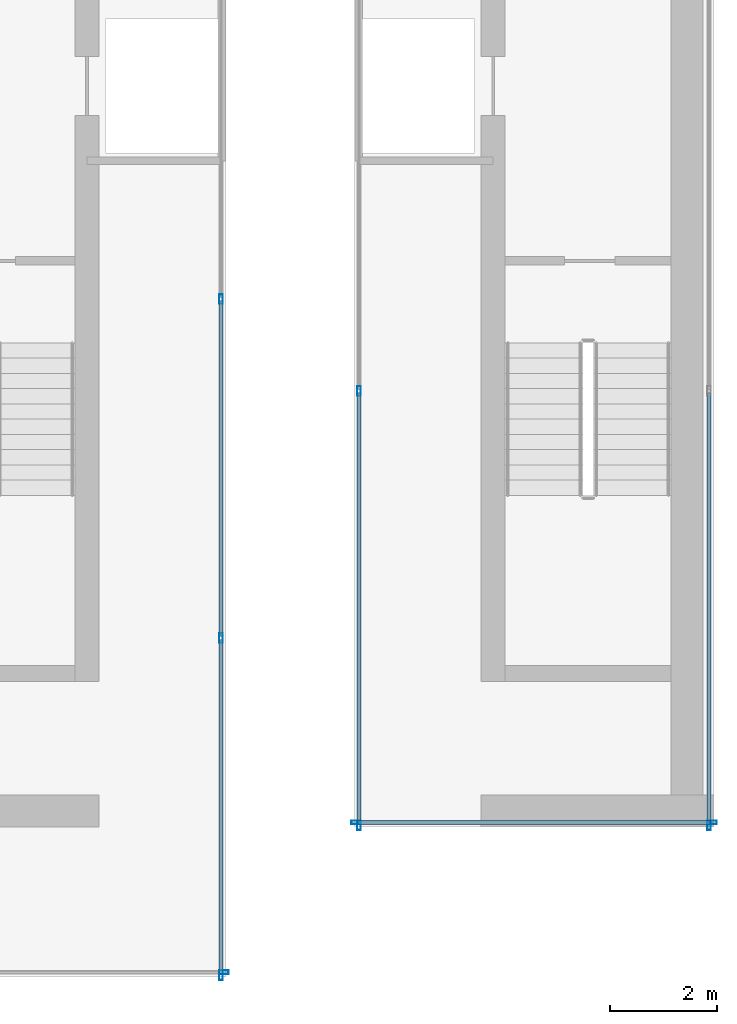
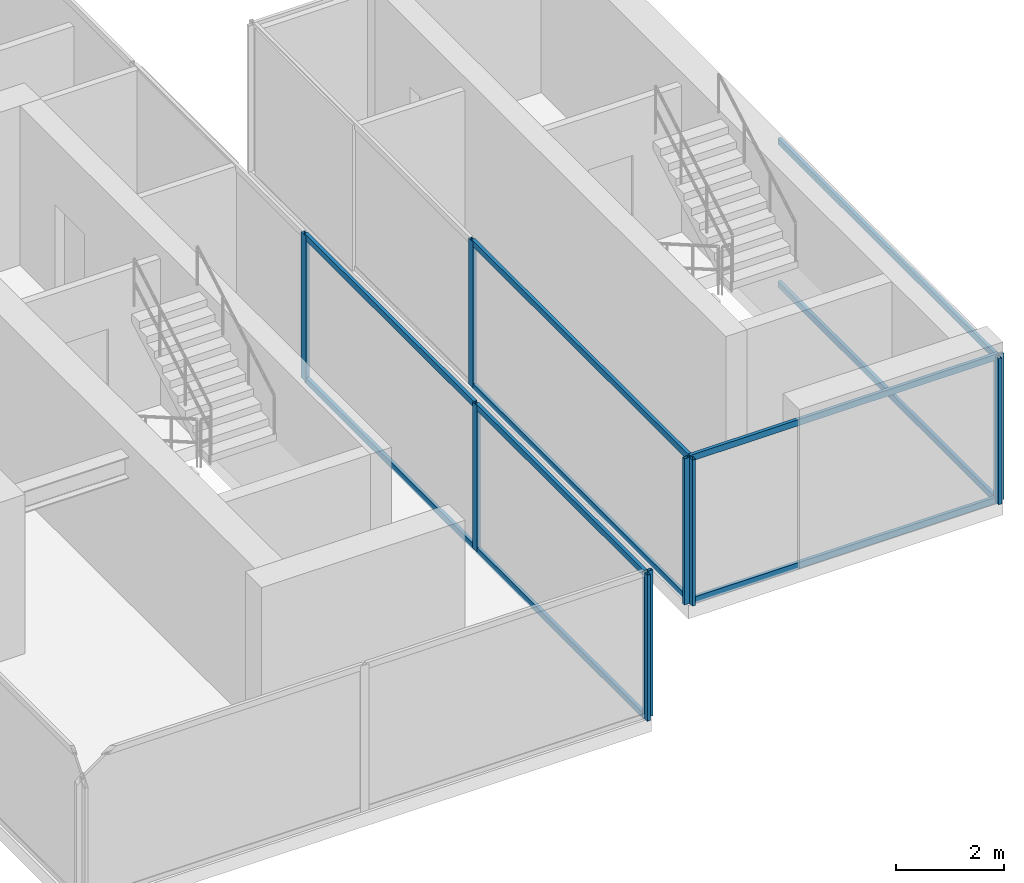
# One storey, part 5 of 16: 19 members, 5 elements without a shape of their own.
"""IFC4 building model written with IfcOpenShell, lengths in metres."""

from ifc_helpers import new_model, si_unit, direction, frame, origin, origin_2d, place, context, subcontext, project, spatial, hollow_rectangle, extrude, source, transform, mapped, material, material_profile, profile_set, type_object, type_shapes, element, aggregate, save


model = new_model("IFC4")

# Units and contexts
model_context = context("Model", 3, precision=1e-05, world=origin(), true_north=direction((0.0, 1.0)))
body_context = subcontext(model_context, "Body", "Model", "MODEL_VIEW")
ifc_project = project(units=[si_unit("LENGTHUNIT", "METRE"), si_unit("AREAUNIT", "SQUARE_METRE"), si_unit("VOLUMEUNIT", "CUBIC_METRE"), si_unit("PLANEANGLEUNIT", "RADIAN"), si_unit("MASSUNIT", "GRAM", prefix="KILO")], contexts=[model_context])

# Site, building, storey
site_placement = place(None, origin())
site = spatial("IfcSite", under=ifc_project, at=site_placement, CompositionType="ELEMENT")
building_placement = place(site_placement, origin())
building = spatial("IfcBuilding", under=site, at=building_placement, Name="Krantzveldt Concourse Tower", CompositionType="ELEMENT")
storey_placement = place(building_placement, frame((0.0, 0.0, 381.85009765625)))
storey = spatial("IfcBuildingStorey", under=building, at=storey_placement, Name="L94", CompositionType="ELEMENT", Elevation=381.85009765625)

# Curtain wall, members
ifc_material = material(Name="Anodised aluminium 6063-T6", Category="aluminium")
curtain_wall_type = type_object("IfcCurtainWallType", Name="CW7", PredefinedType="USERDEFINED", material=ifc_material)
curtain_wall_1_placement = place(storey_placement, origin())
curtain_wall_1 = element("IfcCurtainWall", 1, at=curtain_wall_1_placement, inside=storey, type_object=curtain_wall_type, Name="CW-L94-WEST-01", ObjectType="UNITISED CURTAIN WALL", PredefinedType="USERDEFINED")
ifc_material_profile_1 = material_profile(ifc_material, hollow_rectangle(XDim=0.070068359375, YDim=0.139892578125, WallThickness=0.0048828125, at=origin_2d()), Name="Anodised aluminium 6063-T6", Category="aluminium")
ifc_profile_set_1 = profile_set([ifc_material_profile_1], Name="Anodised aluminium 6063-T6 - ALU-TRAN 140x70x5")
member_type_1 = type_object("IfcMemberType", Name="CW-TRN-150", PredefinedType="USERDEFINED", material=ifc_profile_set_1)
shared_shape_1 = source(origin(), body_context, "Body", "SweptSolid", [
    extrude(hollow_rectangle(XDim=0.070068359375, YDim=0.139892578125, WallThickness=0.0048828125, at=origin_2d()), origin(), (0.0, 0.0, 1.0), 6.228271484375),
])
member_1_placement = place(storey_placement, frame((34.7099609375, 7.77001953125, 0.034912109375), z_axis=(0.0, 1.0, 0.0), x_axis=(-1.0, 0.0, 0.0)))
member_1 = element("IfcMember", 2, at=member_1_placement, type_object=member_type_1, Name="CW-CRN transom 1.1", ObjectType="TRANSOM", PredefinedType="USERDEFINED", context=body_context, shape_type="MappedRepresentation", body=[
    mapped(shared_shape_1, transform((0.0, 0.0, 0.0), x_axis=(1.0, 0.0, 0.0), y_axis=(0.0, 1.0, 0.0), z_axis=(0.0, 0.0, 1.0), scale=1.0)),
])
member_2_placement = place(storey_placement, frame((34.7099609375, 7.77001953125, 3.264892578125), z_axis=(0.0, 1.0, 0.0), x_axis=(-1.0, 0.0, 0.0)))
member_2 = element("IfcMember", 3, at=member_2_placement, type_object=member_type_1, Name="CW-CRN transom 1.2", ObjectType="TRANSOM", PredefinedType="USERDEFINED", context=body_context, shape_type="MappedRepresentation", body=[
    mapped(shared_shape_1, transform((0.0, 0.0, 0.0), x_axis=(1.0, 0.0, 0.0), y_axis=(0.0, 1.0, 0.0), z_axis=(0.0, 0.0, 1.0), scale=1.0)),
])
shared_shape_2 = source(origin(), body_context, "Body", "SweptSolid", [
    extrude(hollow_rectangle(XDim=0.070068359375, YDim=0.139892578125, WallThickness=0.0048828125, at=origin_2d()), origin(), (0.0, 0.0, 1.0), 6.263427734375),
])
member_3_placement = place(storey_placement, frame((34.7099609375, 14.068359375, 0.034912109375), z_axis=(0.0, 1.0, 0.0), x_axis=(-1.0, 0.0, 0.0)))
member_3 = element("IfcMember", 4, at=member_3_placement, type_object=member_type_1, Name="CW-CRN transom 2.1", ObjectType="TRANSOM", PredefinedType="USERDEFINED", context=body_context, shape_type="MappedRepresentation", body=[
    mapped(shared_shape_2, transform((0.0, 0.0, 0.0), x_axis=(1.0, 0.0, 0.0), y_axis=(0.0, 1.0, 0.0), z_axis=(0.0, 0.0, 1.0), scale=1.0)),
])
member_4_placement = place(storey_placement, frame((34.7099609375, 14.068359375, 3.264892578125), z_axis=(0.0, 1.0, 0.0), x_axis=(-1.0, 0.0, 0.0)))
member_4 = element("IfcMember", 5, at=member_4_placement, type_object=member_type_1, Name="CW-CRN transom 2.2", ObjectType="TRANSOM", PredefinedType="USERDEFINED", context=body_context, shape_type="MappedRepresentation", body=[
    mapped(shared_shape_2, transform((0.0, 0.0, 0.0), x_axis=(1.0, 0.0, 0.0), y_axis=(0.0, 1.0, 0.0), z_axis=(0.0, 0.0, 1.0), scale=1.0)),
])

curtain_wall_2_placement = place(storey_placement, origin())
curtain_wall_2 = element("IfcCurtainWall", 6, at=curtain_wall_2_placement, inside=storey, type_object=curtain_wall_type, Name="CW-L94-EAST-00", ObjectType="UNITISED CURTAIN WALL", PredefinedType="USERDEFINED")
shared_shape_3 = source(origin(), body_context, "Body", "SweptSolid", [
    extrude(hollow_rectangle(XDim=0.070068359375, YDim=0.139892578125, WallThickness=0.0048828125, at=origin_2d()), origin(), (0.0, 0.0, 1.0), 6.580078125),
])
member_5_placement = place(storey_placement, frame((37.27001953125, 10.590087890625, 0.034912109375), z_axis=(1.0, 0.0, 0.0), x_axis=(0.0, 1.0, 0.0)))
member_5 = element("IfcMember", 7, at=member_5_placement, type_object=member_type_1, Name="CW-CRN transom 1.1", ObjectType="TRANSOM", PredefinedType="USERDEFINED", context=body_context, shape_type="MappedRepresentation", body=[
    mapped(shared_shape_3, transform((0.0, 0.0, 0.0), x_axis=(1.0, 0.0, 0.0), y_axis=(0.0, 1.0, 0.0), z_axis=(0.0, 0.0, 1.0), scale=1.0)),
])
member_6_placement = place(storey_placement, frame((37.27001953125, 10.590087890625, 3.264892578125), z_axis=(1.0, 0.0, 0.0), x_axis=(0.0, 1.0, 0.0)))
member_6 = element("IfcMember", 8, at=member_6_placement, type_object=member_type_1, Name="CW-CRN transom 1.2", ObjectType="TRANSOM", PredefinedType="USERDEFINED", context=body_context, shape_type="MappedRepresentation", body=[
    mapped(shared_shape_3, transform((0.0, 0.0, 0.0), x_axis=(1.0, 0.0, 0.0), y_axis=(0.0, 1.0, 0.0), z_axis=(0.0, 0.0, 1.0), scale=1.0)),
])

curtain_wall_3_placement = place(storey_placement, origin())
curtain_wall_3 = element("IfcCurtainWall", 9, at=curtain_wall_3_placement, inside=storey, type_object=curtain_wall_type, Name="CW-L94-EAST-01", ObjectType="UNITISED CURTAIN WALL", PredefinedType="USERDEFINED")
shared_shape_4 = source(origin(), body_context, "Body", "SweptSolid", [
    extrude(hollow_rectangle(XDim=0.070068359375, YDim=0.139892578125, WallThickness=0.0048828125, at=origin_2d()), origin(), (0.0, 0.0, 1.0), 8.044921875),
])
type_shapes(member_type_1, [shared_shape_1, shared_shape_2, shared_shape_3, shared_shape_4])
member_7_placement = place(storey_placement, frame((43.830078125, 10.570068359375, 0.034912109375), z_axis=(0.0, 1.0, 0.0), x_axis=(-1.0, 0.0, 0.0)))
member_7 = element("IfcMember", 10, at=member_7_placement, type_object=member_type_1, Name="CW-CRN transom 1.1", ObjectType="TRANSOM", PredefinedType="USERDEFINED", context=body_context, shape_type="MappedRepresentation", body=[
    mapped(shared_shape_4, transform((0.0, 0.0, 0.0), x_axis=(1.0, 0.0, 0.0), y_axis=(0.0, 1.0, 0.0), z_axis=(0.0, 0.0, 1.0), scale=1.0)),
])
member_8_placement = place(storey_placement, frame((43.830078125, 10.570068359375, 3.264892578125), z_axis=(0.0, 1.0, 0.0), x_axis=(-1.0, 0.0, 0.0)))
member_8 = element("IfcMember", 11, at=member_8_placement, type_object=member_type_1, Name="CW-CRN transom 1.2", ObjectType="TRANSOM", PredefinedType="USERDEFINED", context=body_context, shape_type="MappedRepresentation", body=[
    mapped(shared_shape_4, transform((0.0, 0.0, 0.0), x_axis=(1.0, 0.0, 0.0), y_axis=(0.0, 1.0, 0.0), z_axis=(0.0, 0.0, 1.0), scale=1.0)),
])

curtain_wall_4_placement = place(storey_placement, origin())
curtain_wall_4 = element("IfcCurtainWall", 12, at=curtain_wall_4_placement, inside=storey, type_object=curtain_wall_type, Name="CW-L94-EAST-03", ObjectType="UNITISED CURTAIN WALL", PredefinedType="USERDEFINED")
member_9_placement = place(storey_placement, frame((37.2900390625, 18.614990234375, 0.034912109375), z_axis=(0.0, -1.0, 0.0), x_axis=(1.0, 0.0, 0.0)))
member_9 = element("IfcMember", 13, at=member_9_placement, type_object=member_type_1, Name="CW-CRN transom 2.1", ObjectType="TRANSOM", PredefinedType="USERDEFINED", context=body_context, shape_type="MappedRepresentation", body=[
    mapped(shared_shape_4, transform((0.0, 0.0, 0.0), x_axis=(1.0, 0.0, 0.0), y_axis=(0.0, 1.0, 0.0), z_axis=(0.0, 0.0, 1.0), scale=1.0)),
])
member_10_placement = place(storey_placement, frame((37.2900390625, 18.614990234375, 3.264892578125), z_axis=(0.0, -1.0, 0.0), x_axis=(1.0, 0.0, 0.0)))
member_10 = element("IfcMember", 14, at=member_10_placement, type_object=member_type_1, Name="CW-CRN transom 2.2", ObjectType="TRANSOM", PredefinedType="USERDEFINED", context=body_context, shape_type="MappedRepresentation", body=[
    mapped(shared_shape_4, transform((0.0, 0.0, 0.0), x_axis=(1.0, 0.0, 0.0), y_axis=(0.0, 1.0, 0.0), z_axis=(0.0, 0.0, 1.0), scale=1.0)),
])

# Curtain wall, member
curtain_wall_5_placement = place(storey_placement, origin())
curtain_wall_5 = element("IfcCurtainWall", 15, at=curtain_wall_5_placement, inside=storey, type_object=curtain_wall_type, Name="CW-L94-WEST-00", ObjectType="UNITISED CURTAIN WALL", PredefinedType="USERDEFINED")
ifc_material_profile_2 = material_profile(ifc_material, hollow_rectangle(XDim=0.070068359375, YDim=0.179931640625, WallThickness=0.0048828125, at=origin_2d()), Name="Anodised aluminium 6063-T6", Category="aluminium")
ifc_profile_set_2 = profile_set([ifc_material_profile_2], Name="Anodised aluminium 6063-T6 - ALU-MULL 180x70x5")
member_type_2 = type_object("IfcMemberType", Name="CW-MUL-180", PredefinedType="MULLION", material=ifc_profile_set_2)
shared_shape_5 = source(origin(), body_context, "Body", "SweptSolid", [
    extrude(hollow_rectangle(XDim=0.070068359375, YDim=0.179931640625, WallThickness=0.0048828125, at=origin_2d()), origin(), (0.0, 0.0, 1.0), 3.2998046875),
])
type_shapes(member_type_2, [shared_shape_5])
member_11_placement = place(storey_placement, frame((34.764892578125, 7.7900390625, 0.0), z_axis=(0.0, 0.0, 1.0), x_axis=(0.0, 1.0, 0.0)))
member_11 = element("IfcMember", 16, at=member_11_placement, type_object=member_type_2, Name="CW-CRN mullion 3", PredefinedType="MULLION", context=body_context, shape_type="MappedRepresentation", body=[
    mapped(shared_shape_5, transform((0.0, 0.0, 0.0), x_axis=(1.0, 0.0, 0.0), y_axis=(0.0, 1.0, 0.0), z_axis=(0.0, 0.0, 1.0), scale=1.0)),
])
aggregate(curtain_wall_5, [member_11])

# Member
member_12_placement = place(storey_placement, frame((34.7099609375, 7.735107421875, 0.0), z_axis=(0.0, 0.0, 1.0), x_axis=(-1.0, 0.0, 0.0)))
member_12 = element("IfcMember", 17, at=member_12_placement, type_object=member_type_2, Name="CW-CRN mullion 1", PredefinedType="MULLION", context=body_context, shape_type="MappedRepresentation", body=[
    mapped(shared_shape_5, transform((0.0, 0.0, 0.0), x_axis=(1.0, 0.0, 0.0), y_axis=(0.0, 1.0, 0.0), z_axis=(0.0, 0.0, 1.0), scale=1.0)),
])

member_13_placement = place(storey_placement, frame((34.7099609375, 14.033447265625, 0.0), z_axis=(0.0, 0.0, 1.0), x_axis=(-1.0, 0.0, 0.0)))
member_13 = element("IfcMember", 18, at=member_13_placement, type_object=member_type_2, Name="CW-CRN mullion 2", PredefinedType="MULLION", context=body_context, shape_type="MappedRepresentation", body=[
    mapped(shared_shape_5, transform((0.0, 0.0, 0.0), x_axis=(1.0, 0.0, 0.0), y_axis=(0.0, 1.0, 0.0), z_axis=(0.0, 0.0, 1.0), scale=1.0)),
])

member_14_placement = place(storey_placement, frame((34.7099609375, 20.36669921875, 0.0), z_axis=(0.0, 0.0, 1.0), x_axis=(-1.0, 0.0, 0.0)))
member_14 = element("IfcMember", 19, at=member_14_placement, type_object=member_type_2, Name="CW-CRN mullion 3", PredefinedType="MULLION", context=body_context, shape_type="MappedRepresentation", body=[
    mapped(shared_shape_5, transform((0.0, 0.0, 0.0), x_axis=(1.0, 0.0, 0.0), y_axis=(0.0, 1.0, 0.0), z_axis=(0.0, 0.0, 1.0), scale=1.0)),
])

aggregate(curtain_wall_1, [member_12, member_13, member_14, member_1, member_2, member_3, member_4])

member_15_placement = place(storey_placement, frame((37.235107421875, 10.590087890625, 0.0), z_axis=(0.0, 0.0, 1.0), x_axis=(0.0, 1.0, 0.0)))
member_15 = element("IfcMember", 20, at=member_15_placement, type_object=member_type_2, Name="CW-CRN mullion 1", PredefinedType="MULLION", context=body_context, shape_type="MappedRepresentation", body=[
    mapped(shared_shape_5, transform((0.0, 0.0, 0.0), x_axis=(1.0, 0.0, 0.0), y_axis=(0.0, 1.0, 0.0), z_axis=(0.0, 0.0, 1.0), scale=1.0)),
])

member_16_placement = place(storey_placement, frame((43.885009765625, 10.590087890625, 0.0), z_axis=(0.0, 0.0, 1.0), x_axis=(0.0, 1.0, 0.0)))
member_16 = element("IfcMember", 21, at=member_16_placement, type_object=member_type_2, Name="CW-CRN mullion 2", PredefinedType="MULLION", context=body_context, shape_type="MappedRepresentation", body=[
    mapped(shared_shape_5, transform((0.0, 0.0, 0.0), x_axis=(1.0, 0.0, 0.0), y_axis=(0.0, 1.0, 0.0), z_axis=(0.0, 0.0, 1.0), scale=1.0)),
])

aggregate(curtain_wall_2, [member_15, member_16, member_5, member_6])

member_17_placement = place(storey_placement, frame((43.830078125, 10.534912109375, 0.0), z_axis=(0.0, 0.0, 1.0), x_axis=(-1.0, 0.0, 0.0)))
member_17 = element("IfcMember", 22, at=member_17_placement, type_object=member_type_2, Name="CW-CRN mullion 1", PredefinedType="MULLION", context=body_context, shape_type="MappedRepresentation", body=[
    mapped(shared_shape_5, transform((0.0, 0.0, 0.0), x_axis=(1.0, 0.0, 0.0), y_axis=(0.0, 1.0, 0.0), z_axis=(0.0, 0.0, 1.0), scale=1.0)),
])

aggregate(curtain_wall_3, [member_17, member_7, member_8])

member_18_placement = place(storey_placement, frame((37.2900390625, 18.64990234375, 0.0), z_axis=(0.0, 0.0, 1.0), x_axis=(1.0, 0.0, 0.0)))
member_18 = element("IfcMember", 23, at=member_18_placement, type_object=member_type_2, Name="CW-CRN mullion 2", PredefinedType="MULLION", context=body_context, shape_type="MappedRepresentation", body=[
    mapped(shared_shape_5, transform((0.0, 0.0, 0.0), x_axis=(1.0, 0.0, 0.0), y_axis=(0.0, 1.0, 0.0), z_axis=(0.0, 0.0, 1.0), scale=1.0)),
])

member_19_placement = place(storey_placement, frame((37.2900390625, 10.534912109375, 0.0), z_axis=(0.0, 0.0, 1.0), x_axis=(1.0, 0.0, 0.0)))
member_19 = element("IfcMember", 24, at=member_19_placement, type_object=member_type_2, Name="CW-CRN mullion 3", PredefinedType="MULLION", context=body_context, shape_type="MappedRepresentation", body=[
    mapped(shared_shape_5, transform((0.0, 0.0, 0.0), x_axis=(1.0, 0.0, 0.0), y_axis=(0.0, 1.0, 0.0), z_axis=(0.0, 0.0, 1.0), scale=1.0)),
])

aggregate(curtain_wall_4, [member_18, member_19, member_9, member_10])

save(model, "model.ifc")
